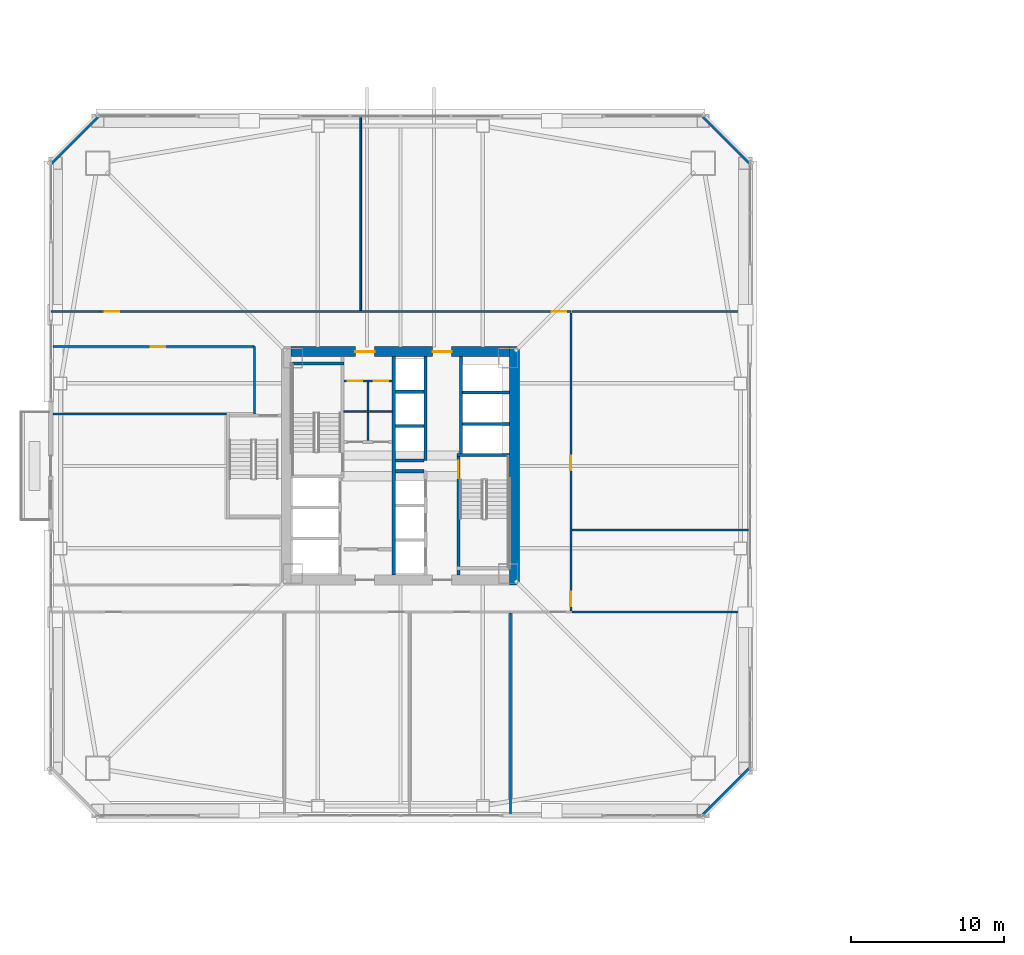
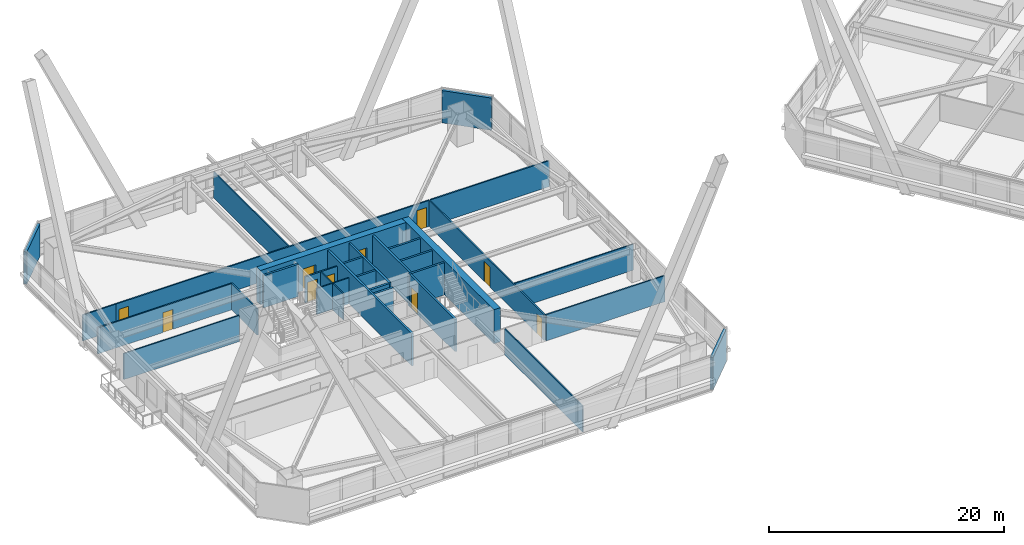
# One storey, part 63 of 75: 31 walls, 10 doors, 10 openings.
"""IFC4 building model written with IfcOpenShell, lengths in metres."""

import ifcopenshell
import ifcopenshell.guid

model = None  # the IFC model being written
_history = None  # IfcOwnerHistory: only IFC2X3 demands one
_inside = {}  # id of a spatial element -> (the spatial element, [elements in it])
_under = {}  # id of a project, library or spatial element -> (it, [spatial elements below it])
_declared = {}  # id of a project -> (the project, [libraries it declares])
_typed = {}  # id of a type object -> (the type object, [elements of that type])
_made_of = {}  # id of a material, layer set ... -> (it, [elements and type objects made of it])


def new_model(schema):
    """Start an empty IFC model of exactly this schema.

    Asked for "IFC4X3", IfcOpenShell would pick the latest addendum, in which some entities
    have other attributes; the version numbers below select the first issue.
    IFC2X3 requires an IfcOwnerHistory on every rooted entity: one is made here for all.
    """
    global model, _history
    if schema == "IFC4X3":
        model = ifcopenshell.file(schema_version=(4, 3, 0, 0))
    else:
        model = ifcopenshell.file(schema=schema)
    _inside.clear()
    _under.clear()
    _declared.clear()
    _typed.clear()
    _made_of.clear()
    _history = None
    if model.schema == "IFC2X3":
        org = make("IfcOrganization", Name="unknown")
        user = make(
            "IfcPersonAndOrganization",
            ThePerson=make("IfcPerson", FamilyName="unknown"),
            TheOrganization=org,
        )
        app = make(
            "IfcApplication",
            ApplicationDeveloper=org,
            Version="unknown",
            ApplicationFullName="unknown",
            ApplicationIdentifier="unknown",
        )
        _history = make(
            "IfcOwnerHistory",
            OwningUser=user,
            OwningApplication=app,
            ChangeAction="ADDED",
            CreationDate=0,
        )
    return model


def make(cls, **values):
    """One entity of the class cls with the attributes given. An attribute that is None is left unset."""
    return model.create_entity(
        cls, **{name: value for name, value in values.items() if value is not None}
    )


def rooted(cls, **values):
    """An entity with a GlobalId (a new one), such as an element, a storey or a relation."""
    return make(cls, GlobalId=ifcopenshell.guid.new(), OwnerHistory=_history, **values)


def si_unit(unit_type, name, prefix=None):
    """IfcSIUnit, for example si_unit("LENGTHUNIT", "METRE", prefix="MILLI")."""
    return make("IfcSIUnit", UnitType=unit_type, Prefix=prefix, Name=name)


def assignment(units):
    """IfcUnitAssignment: the units of a project."""
    return None if units is None else make("IfcUnitAssignment", Units=units)


def point(xyz):
    """IfcCartesianPoint."""
    return None if xyz is None else make("IfcCartesianPoint", Coordinates=xyz)


def direction(xyz):
    """IfcDirection."""
    return None if xyz is None else make("IfcDirection", DirectionRatios=xyz)


def frame(location, z_axis=None, x_axis=None):
    """IfcAxis2Placement3D, a coordinate frame: its origin and axes. An axis left out is left unset."""
    return make(
        "IfcAxis2Placement3D",
        Location=point(location),
        Axis=direction(z_axis),
        RefDirection=direction(x_axis),
    )


def frame_2d(location, x_axis=None):
    """IfcAxis2Placement2D, a coordinate frame in the plane: its origin and x axis."""
    return make(
        "IfcAxis2Placement2D", Location=point(location), RefDirection=direction(x_axis)
    )


def origin():
    """The frame at (0, 0, 0) with its axes left unset."""
    return frame((0.0, 0.0, 0.0))


def place(relative_to, where):
    """IfcLocalPlacement: puts the frame where relative to a parent placement (None: the world)."""
    return make(
        "IfcLocalPlacement", PlacementRelTo=relative_to, RelativePlacement=where
    )


def context(
    kind, dimensions, precision=None, world=None, true_north=None, identifier=None
):
    """IfcGeometricRepresentationContext, for example the 3D "Model" context."""
    return make(
        "IfcGeometricRepresentationContext",
        ContextIdentifier=identifier,
        ContextType=kind,
        CoordinateSpaceDimension=dimensions,
        Precision=precision,
        WorldCoordinateSystem=world,
        TrueNorth=true_north,
    )


def subcontext(parent, identifier, kind, view, scale=None):
    """IfcGeometricRepresentationSubContext, for example "Body" below "Model"."""
    return make(
        "IfcGeometricRepresentationSubContext",
        ContextIdentifier=identifier,
        ContextType=kind,
        ParentContext=parent,
        TargetScale=scale,
        TargetView=view,
    )


def project(units=None, contexts=None):
    """IfcProject with its units and contexts."""
    return rooted(
        "IfcProject",
        Name="project",
        RepresentationContexts=contexts,
        UnitsInContext=assignment(units),
    )


def spatial(cls, under=None, at=None, **own):
    """A site, building, storey or space (cls), placed at a placement, below another one or the project."""
    s = rooted(cls, ObjectPlacement=at, **own)
    if under is not None:
        _under.setdefault(under.id(), (under, []))[1].append(s)
    return s


def profile(cls, at=None, kind="AREA", **sizes):
    """A parametric profile (cls). Its sizes go by their IFC names, for example OverallWidth=200.0."""
    return make(cls, ProfileType=kind, Position=at, **sizes)


def rectangle(**sizes):
    """IfcRectangleProfileDef."""
    return profile("IfcRectangleProfileDef", **sizes)


def extrude(swept, where, along, depth):
    """IfcExtrudedAreaSolid: the profile swept, set in the frame where, extruded along a direction by depth."""
    return make(
        "IfcExtrudedAreaSolid",
        SweptArea=swept,
        Position=where,
        ExtrudedDirection=direction(along),
        Depth=depth,
    )


def shape(context_of_items, identifier, shape_type, items):
    """IfcShapeRepresentation: the items that make up one representation, for example the "Body"."""
    return make(
        "IfcShapeRepresentation",
        ContextOfItems=context_of_items,
        RepresentationIdentifier=identifier,
        RepresentationType=shape_type,
        Items=items,
    )


def material(Name=None, Category=None):
    """IfcMaterial."""
    return make("IfcMaterial", Name=Name, Category=Category)


def layer(
    of_material, thickness, ventilated=None, Name=None, Category=None, Priority=None
):
    """IfcMaterialLayer: one layer of a wall or slab, of a material (None: an air gap)."""
    return make(
        "IfcMaterialLayer",
        Material=of_material,
        LayerThickness=thickness,
        IsVentilated=ventilated,
        Name=Name,
        Category=Category,
        Priority=Priority,
    )


def layer_set(layers, Name=None):
    """IfcMaterialLayerSet."""
    return make("IfcMaterialLayerSet", MaterialLayers=layers, LayerSetName=Name)


def made_of(thing, what):
    """Note that an element or type object is made of a material, layer set ...; save() writes the relation."""
    if what is not None:
        _made_of.setdefault(what.id(), (what, []))[1].append(thing)
    return thing


def type_object(cls, material=None, **own):
    """A type object (cls), such as IfcWallType, which elements share."""
    return made_of(rooted(cls, **own), material)


def element(
    cls,
    number,
    at=None,
    inside=None,
    cuts=None,
    type_object=None,
    material=None,
    context=None,
    identifier="Body",
    shape_type=None,
    held_by="IfcProductDefinitionShape",
    body=None,
    shapes=None,
    **own,
):
    """One element of the class cls, such as IfcWall. Its Tag is "e" and its number.

    at: its placement. inside: the storey or other place that contains it. cuts: it is an
    opening in that element (IfcRelVoidsElement). A single representation is given by context,
    identifier, shape_type and body (its items); several are given by shapes. held_by: the class
    of the entity that holds the representations. save() writes the other relations.
    """
    e = rooted(cls, Tag="e%d" % number, ObjectPlacement=at, **own)
    if body is not None:
        shapes = [shape(context, identifier, shape_type, body)]
    if shapes is not None:
        e.Representation = make(held_by, Representations=shapes)
    if inside is not None:
        _inside.setdefault(inside.id(), (inside, []))[1].append(e)
    if cuts is not None:
        rooted(
            "IfcRelVoidsElement", RelatingBuildingElement=cuts, RelatedOpeningElement=e
        )
    if type_object is not None:
        _typed.setdefault(type_object.id(), (type_object, []))[1].append(e)
    return made_of(e, material)


def fill(opening, filler):
    """IfcRelFillsElement: the door or window that sits in an opening."""
    return rooted(
        "IfcRelFillsElement",
        RelatingOpeningElement=opening,
        RelatedBuildingElement=filler,
    )


def aggregate(whole, parts):
    """IfcRelAggregates: a whole, such as a stair, and the parts it consists of."""
    return rooted("IfcRelAggregates", RelatingObject=whole, RelatedObjects=parts)


def save(model, path):
    """Write the relations noted so far, then the file.

    IfcRelAggregates (storeys below a building ...), IfcRelContainedInSpatialStructure (elements
    in a storey), IfcRelDefinesByType, IfcRelAssociatesMaterial and IfcRelDeclares: one each for
    every whole, place, type object, material and project.
    """
    for whole, parts in _under.values():
        aggregate(whole, parts)
    for where, things in _inside.values():
        rooted(
            "IfcRelContainedInSpatialStructure",
            RelatedElements=things,
            RelatingStructure=where,
        )
    for kind, things in _typed.values():
        rooted("IfcRelDefinesByType", RelatedObjects=things, RelatingType=kind)
    for what, things in _made_of.values():
        rooted("IfcRelAssociatesMaterial", RelatedObjects=things, RelatingMaterial=what)
    for by, libraries in _declared.values():
        rooted("IfcRelDeclares", RelatingContext=by, RelatedDefinitions=libraries)
    model.write(path)


model = new_model("IFC4")

# Units and contexts
model_context = context("Model", 3, precision=1e-05, world=origin(), true_north=direction((0.0, 1.0)))
body_context = subcontext(model_context, "Body", "Model", "MODEL_VIEW")
ifc_project = project(units=[si_unit("LENGTHUNIT", "METRE"), si_unit("AREAUNIT", "SQUARE_METRE"), si_unit("VOLUMEUNIT", "CUBIC_METRE"), si_unit("PLANEANGLEUNIT", "RADIAN"), si_unit("MASSUNIT", "GRAM", prefix="KILO")], contexts=[model_context])

# Site, building, storey
site_placement = place(None, origin())
site = spatial("IfcSite", under=ifc_project, at=site_placement, CompositionType="ELEMENT")
building_placement = place(site_placement, origin())
building = spatial("IfcBuilding", under=site, at=building_placement, Name="Tashvorn Skyway Center", CompositionType="ELEMENT")
storey_placement = place(building_placement, frame((0.0, 0.0, 45.89990234375)))
storey = spatial("IfcBuildingStorey", under=building, at=storey_placement, Name="L11", CompositionType="ELEMENT", Elevation=45.89990234375)

# Wall
ifc_material_1 = material(Name="Concrete C60/75", Category="concrete")
ifc_layer_1 = layer(ifc_material_1, 0.64990234375)
ifc_layer_set_1 = layer_set([ifc_layer_1], Name="Concrete C60/75")
wall_type_1 = type_object("IfcWallType", Name="WALL-CORE-650", PredefinedType="SHEAR", material=ifc_layer_set_1)
wall_1_placement = place(storey_placement, frame((49.47509765625, 39.800048828125, 0.0), z_axis=(0.0, 0.0, 1.0), x_axis=(0.0, -1.0, 0.0)))
element("IfcWall", 1, at=wall_1_placement, inside=storey, type_object=wall_type_1, Name="Tower 1 L11 East Core Shear Wall", PredefinedType="SHEAR", context=body_context, shape_type="SweptSolid", body=[
    extrude(rectangle(XDim=15.60009765625, YDim=0.64990234375, at=frame_2d((7.800048828125, 0.0))), origin(), (0.0, 0.0, 1.0), 3.550048828125),
])

# Wall, openings, doors
wall_2_placement = place(storey_placement, frame((34.85009765625, 39.47509765625, 0.0), z_axis=(0.0, 0.0, 1.0), x_axis=(1.0, 0.0, 0.0)))
wall_2 = element("IfcWall", 2, at=wall_2_placement, inside=storey, type_object=wall_type_1, Name="Tower 1 L11 North Core Shear Wall", PredefinedType="SHEAR", context=body_context, shape_type="SweptSolid", body=[
    extrude(rectangle(XDim=14.2998046875, YDim=0.64990234375, at=frame_2d((7.14990234375, 0.0))), origin(), (0.0, 0.0, 1.0), 3.550048828125),
])
opening_1_placement = place(wall_2_placement, frame((4.199951171875, 0.0, 0.0)))
opening_1 = element("IfcOpeningElement", 3, at=opening_1_placement, cuts=wall_2, Name="Opening D-FFL-1250", PredefinedType="OPENING", context=body_context, shape_type="SweptSolid", body=[
    extrude(rectangle(XDim=1.25, YDim=2.25, at=frame_2d((0.625, 1.125))), frame((0.0, 0.3349609375, 0.0), z_axis=(0.0, -1.0, 0.0), x_axis=(1.0, 0.0, 0.0)), (0.0, 0.0, 1.0), 0.669921875),
])
opening_2_placement = place(wall_2_placement, frame((9.25, 0.0, 0.0)))
opening_2 = element("IfcOpeningElement", 4, at=opening_2_placement, cuts=wall_2, Name="Opening D-FFL-1250", PredefinedType="OPENING", context=body_context, shape_type="SweptSolid", body=[
    extrude(rectangle(XDim=1.25, YDim=2.25, at=frame_2d((0.625, 1.125))), frame((0.0, 0.3349609375, 0.0), z_axis=(0.0, -1.0, 0.0), x_axis=(1.0, 0.0, 0.0)), (0.0, 0.0, 1.0), 0.669921875),
])
ifc_material_2 = material(Name="Hollow galvanized steel fire door assembly", Category="steel")
door_type_1 = type_object("IfcDoorType", Name="DOOR-FFL-1250", OperationType="NOTDEFINED", PredefinedType="DOOR", material=ifc_material_2)
door_1_placement = place(opening_1_placement, origin())
door_1 = element("IfcDoor", 5, at=door_1_placement, inside=storey, type_object=door_type_1, Name="Tower 1 L11 Core North Service Lobby Door", OperationType="SINGLE_SWING_LEFT", OverallHeight=2.25, OverallWidth=1.25, PredefinedType="DOOR", context=body_context, shape_type="SweptSolid", body=[
    extrude(rectangle(XDim=1.25, YDim=2.25, at=frame_2d((0.625, 1.125))), frame((0.0, 0.02490234375, 0.0), z_axis=(0.0, -1.0, 0.0), x_axis=(1.0, 0.0, 0.0)), (0.0, 0.0, 1.0), 0.050048828125),
])
fill(opening_1, door_1)
door_2_placement = place(opening_2_placement, origin())
door_2 = element("IfcDoor", 6, at=door_2_placement, inside=storey, type_object=door_type_1, Name="Tower 1 L11 Core North Lift Lobby Door", OperationType="SINGLE_SWING_RIGHT", OverallHeight=2.25, OverallWidth=1.25, PredefinedType="DOOR", context=body_context, shape_type="SweptSolid", body=[
    extrude(rectangle(XDim=1.25, YDim=2.25, at=frame_2d((0.625, 1.125))), frame((0.0, 0.02490234375, 0.0), z_axis=(0.0, -1.0, 0.0), x_axis=(1.0, 0.0, 0.0)), (0.0, 0.0, 1.0), 0.050048828125),
])
fill(opening_2, door_2)

# Walls
ifc_material_3 = material(Name="Precast concrete C40/50", Category="concrete")
ifc_layer_2 = layer(ifc_material_3, 0.280029296875)
ifc_layer_set_2 = layer_set([ifc_layer_2], Name="Precast concrete C40/50")
wall_type_2 = type_object("IfcWallType", Name="WALL-EXT-280", PredefinedType="SOLIDWALL", material=ifc_layer_set_2)
for number, where, z_axis, x_axis, name in (
    (7, (19.10009765625, 51.800048828125, 0.0), (0.0, 0.0, 1.0), (0.707106781187, 0.707106781187, 0.0), "Tower 1 L11 NW Precast Chamfer Wall"),
    (8, (61.800048828125, 54.89990234375, 0.0), (0.0, 0.0, 1.0), (0.707106781187, -0.707106781187, 0.0), "Tower 1 L11 NE Precast Chamfer Wall"),
    (9, (64.89990234375, 12.199951171875, 0.0), (0.0, 0.0, 1.0), (-0.707106781187, -0.707106781187, 0.0), "Tower 1 L11 SE Precast Chamfer Wall"),
):
    element("IfcWall", number, at=place(storey_placement, frame(where, z_axis=z_axis, x_axis=x_axis)), inside=storey, type_object=wall_type_2, Name=name, PredefinedType="SOLIDWALL", context=body_context, shape_type="SweptSolid", body=[
        extrude(rectangle(XDim=4.3837890625, YDim=0.280029296875, at=frame_2d((2.19189453125, 0.0))), origin(), (0.0, 0.0, 1.0), 3.35009765625),
    ])
ifc_material_4 = material(Name="Gypsum board on cold-formed steel stud framing", Category="steel")
ifc_layer_3 = layer(ifc_material_4, 0.110107421875)
ifc_layer_set_3 = layer_set([ifc_layer_3], Name="Gypsum board on cold-formed steel stud framing")
wall_type_3 = type_object("IfcWallType", Name="WALL-PART-110", PredefinedType="PARTITIONING", material=ifc_layer_set_3)
wall_3_placement = place(storey_placement, frame((39.39990234375, 42.179931640625, 0.0), z_axis=(0.0, 0.0, 1.0), x_axis=(0.0, 1.0, 0.0)))
element("IfcWall", 10, at=wall_3_placement, inside=storey, type_object=wall_type_3, Name="Tower 1 L11 North Suite Partition 1", PredefinedType="PARTITIONING", context=body_context, shape_type="SweptSolid", body=[
    extrude(rectangle(XDim=12.699951171875, YDim=0.110107421875, at=frame_2d((6.35009765625, 0.0))), origin(), (0.0, 0.0, 1.0), 2.703125),
])
wall_4_placement = place(storey_placement, frame((49.199951171875, 9.1201171875, 0.0), z_axis=(0.0, 0.0, 1.0), x_axis=(0.0, 1.0, 0.0)))
element("IfcWall", 11, at=wall_4_placement, inside=storey, type_object=wall_type_3, Name="Tower 1 L11 South Suite Partition 3", PredefinedType="PARTITIONING", context=body_context, shape_type="SweptSolid", body=[
    extrude(rectangle(XDim=13.22998046875, YDim=0.110107421875, at=frame_2d((6.614990234375, 0.0))), origin(), (0.0, 0.0, 1.0), 2.703125),
])
wall_5_placement = place(storey_placement, frame((53.22998046875, 27.800048828125, 0.0), z_axis=(0.0, 0.0, 1.0), x_axis=(1.0, 0.0, 0.0)))
element("IfcWall", 12, at=wall_5_placement, inside=storey, type_object=wall_type_3, Name="Tower 1 L11 East Suite Partition 1", PredefinedType="PARTITIONING", context=body_context, shape_type="SweptSolid", body=[
    extrude(rectangle(XDim=11.64990234375, YDim=0.110107421875, at=frame_2d((5.824951171875, 0.0))), origin(), (0.0, 0.0, 1.0), 2.703125),
])
wall_6_placement = place(storey_placement, frame((30.60009765625, 35.39990234375, 0.0), z_axis=(0.0, 0.0, 1.0), x_axis=(-1.0, 0.0, 0.0)))
element("IfcWall", 13, at=wall_6_placement, inside=storey, type_object=wall_type_3, Name="Tower 1 L11 West Suite Partition 1", PredefinedType="PARTITIONING", context=body_context, shape_type="SweptSolid", body=[
    extrude(rectangle(XDim=11.330078125, YDim=0.110107421875, at=frame_2d((5.6650390625, 0.0))), origin(), (0.0, 0.0, 1.0), 2.703125),
])
ifc_layer_4 = layer(ifc_material_4, 0.135009765625)
ifc_layer_set_4 = layer_set([ifc_layer_4], Name="Gypsum board on cold-formed steel stud framing")
wall_type_4 = type_object("IfcWallType", Name="WALL-PART-135", PredefinedType="PARTITIONING", material=ifc_layer_set_4)
wall_7_placement = place(storey_placement, frame((32.449951171875, 35.39990234375, 0.0), z_axis=(0.0, 0.0, 1.0), x_axis=(0.0, 1.0, 0.0)))
element("IfcWall", 14, at=wall_7_placement, inside=storey, type_object=wall_type_4, Name="Tower 1 L11 Stair 3 Access Corridor Wall", PredefinedType="PARTITIONING", context=body_context, shape_type="SweptSolid", body=[
    extrude(rectangle(XDim=4.400146484375, YDim=0.135009765625, at=frame_2d((2.2001953125, 0.0))), origin(), (0.0, 0.0, 1.0), 2.703125),
])

# Wall, openings, doors
wall_8_placement = place(storey_placement, frame((22.35009765625, 42.10009765625, 0.0), z_axis=(0.0, 0.0, 1.0), x_axis=(1.0, 0.0, 0.0)))
wall_8 = element("IfcWall", 15, at=wall_8_placement, inside=storey, type_object=wall_type_4, Name="Tower 1 L11 North Suite Wall", PredefinedType="PARTITIONING", context=body_context, shape_type="SweptSolid", body=[
    extrude(rectangle(XDim=30.7998046875, YDim=0.135009765625, at=frame_2d((15.39990234375, 0.0))), origin(), (0.0, 0.0, 1.0), 2.703125),
])
opening_3_placement = place(wall_8_placement, frame((0.300048828125, 0.0, 0.0)))
opening_3 = element("IfcOpeningElement", 16, at=opening_3_placement, cuts=wall_8, Name="Opening D-INT-950", PredefinedType="OPENING", context=body_context, shape_type="SweptSolid", body=[
    extrude(rectangle(XDim=0.949951171875, YDim=2.050048828125, at=frame_2d((0.47509765625, 1.02490234375))), frame((0.0, 0.077392578125, 0.0), z_axis=(0.0, -1.0, 0.0), x_axis=(1.0, 0.0, 0.0)), (0.0, 0.0, 1.0), 0.155029296875),
])
opening_4_placement = place(wall_8_placement, frame((29.550048828125, 0.0, 0.0)))
opening_4 = element("IfcOpeningElement", 17, at=opening_4_placement, cuts=wall_8, Name="Opening D-INT-950", PredefinedType="OPENING", context=body_context, shape_type="SweptSolid", body=[
    extrude(rectangle(XDim=0.949951171875, YDim=2.050048828125, at=frame_2d((0.47509765625, 1.02490234375))), frame((0.0, 0.077392578125, 0.0), z_axis=(0.0, -1.0, 0.0), x_axis=(1.0, 0.0, 0.0)), (0.0, 0.0, 1.0), 0.155029296875),
])
ifc_material_5 = material(Name="Solid-core architectural oak veneer door")
door_type_2 = type_object("IfcDoorType", Name="DOOR-INT-950", OperationType="NOTDEFINED", PredefinedType="DOOR", material=ifc_material_5)
door_3_placement = place(opening_3_placement, origin())
door_3 = element("IfcDoor", 18, at=door_3_placement, inside=storey, type_object=door_type_2, Name="Tower 1 L11 Open Plan Office Door", OperationType="SINGLE_SWING_RIGHT", OverallHeight=2.050048828125, OverallWidth=0.949951171875, PredefinedType="DOOR", context=body_context, shape_type="SweptSolid", body=[
    extrude(rectangle(XDim=0.949951171875, YDim=2.050048828125, at=frame_2d((0.47509765625, 1.02490234375))), frame((0.0, 0.02490234375, 0.0), z_axis=(0.0, -1.0, 0.0), x_axis=(1.0, 0.0, 0.0)), (0.0, 0.0, 1.0), 0.050048828125),
])
fill(opening_3, door_3)
door_4_placement = place(opening_4_placement, origin())
door_4 = element("IfcDoor", 19, at=door_4_placement, inside=storey, type_object=door_type_2, Name="Tower 1 L11 Open Plan Office Door", OperationType="SINGLE_SWING_LEFT", OverallHeight=2.050048828125, OverallWidth=0.949951171875, PredefinedType="DOOR", context=body_context, shape_type="SweptSolid", body=[
    extrude(rectangle(XDim=0.949951171875, YDim=2.050048828125, at=frame_2d((0.47509765625, 1.02490234375))), frame((0.0, 0.02490234375, 0.0), z_axis=(0.0, -1.0, 0.0), x_axis=(1.0, 0.0, 0.0)), (0.0, 0.0, 1.0), 0.050048828125),
])
fill(opening_4, door_4)

# Wall
wall_9_placement = place(storey_placement, frame((19.1201171875, 42.10009765625, 0.0), z_axis=(0.0, 0.0, 1.0), x_axis=(1.0, 0.0, 0.0)))
element("IfcWall", 20, at=wall_9_placement, inside=storey, type_object=wall_type_4, Name="Tower 1 L11 North-West Suite South Wall", PredefinedType="PARTITIONING", context=body_context, shape_type="SweptSolid", body=[
    extrude(rectangle(XDim=3.22998046875, YDim=0.135009765625, at=frame_2d((1.614990234375, 0.0))), origin(), (0.0, 0.0, 1.0), 2.703125),
])

# Wall, openings, doors
wall_10_placement = place(storey_placement, frame((53.14990234375, 42.02001953125, 0.0), z_axis=(0.0, 0.0, 1.0), x_axis=(0.0, -1.0, 0.0)))
wall_10 = element("IfcWall", 21, at=wall_10_placement, inside=storey, type_object=wall_type_4, Name="Tower 1 L11 East Inner Suite Wall", PredefinedType="PARTITIONING", context=body_context, shape_type="SweptSolid", body=[
    extrude(rectangle(XDim=19.510009765625, YDim=0.135009765625, at=frame_2d((9.7548828125, 0.0))), origin(), (0.0, 0.0, 1.0), 2.703125),
])
opening_5_placement = place(wall_10_placement, frame((18.260009765625, 0.0, 0.0)))
opening_5 = element("IfcOpeningElement", 22, at=opening_5_placement, cuts=wall_10, Name="Opening D-INT-950", PredefinedType="OPENING", context=body_context, shape_type="SweptSolid", body=[
    extrude(rectangle(XDim=0.949951171875, YDim=2.050048828125, at=frame_2d((0.47509765625, 1.02490234375))), frame((0.0, 0.077392578125, 0.0), z_axis=(0.0, -1.0, 0.0), x_axis=(1.0, 0.0, 0.0)), (0.0, 0.0, 1.0), 0.155029296875),
])
opening_6_placement = place(wall_10_placement, frame((9.36474609375, 0.0, 0.0)))
opening_6 = element("IfcOpeningElement", 23, at=opening_6_placement, cuts=wall_10, Name="Opening D-INT-950", PredefinedType="OPENING", context=body_context, shape_type="SweptSolid", body=[
    extrude(rectangle(XDim=0.949951171875, YDim=2.050048828125, at=frame_2d((0.47509765625, 1.02490234375))), frame((0.0, 0.077392578125, 0.0), z_axis=(0.0, -1.0, 0.0), x_axis=(1.0, 0.0, 0.0)), (0.0, 0.0, 1.0), 0.155029296875),
])
door_5_placement = place(opening_5_placement, origin())
door_5 = element("IfcDoor", 24, at=door_5_placement, inside=storey, type_object=door_type_2, Name="Tower 1 L11 Executive Study Lounge Door", OperationType="SINGLE_SWING_RIGHT", OverallHeight=2.050048828125, OverallWidth=0.949951171875, PredefinedType="DOOR", context=body_context, shape_type="SweptSolid", body=[
    extrude(rectangle(XDim=0.949951171875, YDim=2.050048828125, at=frame_2d((0.47509765625, 1.02490234375))), frame((0.0, 0.02490234375, 0.0), z_axis=(0.0, -1.0, 0.0), x_axis=(1.0, 0.0, 0.0)), (0.0, 0.0, 1.0), 0.050048828125),
])
fill(opening_5, door_5)
door_6_placement = place(opening_6_placement, origin())
door_6 = element("IfcDoor", 25, at=door_6_placement, inside=storey, type_object=door_type_2, Name="Tower 1 L11 Public Restroom Door", OperationType="SINGLE_SWING_LEFT", OverallHeight=2.050048828125, OverallWidth=0.949951171875, PredefinedType="DOOR", context=body_context, shape_type="SweptSolid", body=[
    extrude(rectangle(XDim=0.949951171875, YDim=2.050048828125, at=frame_2d((0.47509765625, 1.02490234375))), frame((0.0, 0.02490234375, 0.0), z_axis=(0.0, -1.0, 0.0), x_axis=(1.0, 0.0, 0.0)), (0.0, 0.0, 1.0), 0.050048828125),
])
fill(opening_6, door_6)

# Walls
for number, where, z_axis, x_axis, name in (
    (26, (64.8798828125, 42.10009765625, 0.0), (0.0, 0.0, 1.0), (-1.0, 0.0, 0.0), "Tower 1 L11 East Suite North Wall"),
    (27, (53.22998046875, 22.429931640625, 0.0), (0.0, 0.0, 1.0), (1.0, 0.0, 0.0), "Tower 1 L11 East Suite South Wall"),
):
    element("IfcWall", number, at=place(storey_placement, frame(where, z_axis=z_axis, x_axis=x_axis)), inside=storey, type_object=wall_type_4, Name=name, PredefinedType="PARTITIONING", context=body_context, shape_type="SweptSolid", body=[
        extrude(rectangle(XDim=11.64990234375, YDim=0.135009765625, at=frame_2d((5.824951171875, 0.0))), origin(), (0.0, 0.0, 1.0), 2.703125),
    ])

# Wall, opening, door
wall_11_placement = place(storey_placement, frame((32.449951171875, 39.800048828125, 0.0), z_axis=(0.0, 0.0, 1.0), x_axis=(-1.0, 0.0, 0.0)))
wall_11 = element("IfcWall", 28, at=wall_11_placement, inside=storey, type_object=wall_type_4, Name="Tower 1 L11 West Suite North Wall", PredefinedType="PARTITIONING", context=body_context, shape_type="SweptSolid", body=[
    extrude(rectangle(XDim=13.179931640625, YDim=0.135009765625, at=frame_2d((6.58984375, 0.0))), origin(), (0.0, 0.0, 1.0), 2.703125),
])
opening_7_placement = place(wall_11_placement, frame((5.840087890625, 0.0, 0.0)))
opening_7 = element("IfcOpeningElement", 29, at=opening_7_placement, cuts=wall_11, Name="Opening D-INT-950", PredefinedType="OPENING", context=body_context, shape_type="SweptSolid", body=[
    extrude(rectangle(XDim=0.949951171875, YDim=2.050048828125, at=frame_2d((0.47509765625, 1.02490234375))), frame((0.0, 0.077392578125, 0.0), z_axis=(0.0, -1.0, 0.0), x_axis=(1.0, 0.0, 0.0)), (0.0, 0.0, 1.0), 0.155029296875),
])
door_7_placement = place(opening_7_placement, origin())
door_7 = element("IfcDoor", 30, at=door_7_placement, inside=storey, type_object=door_type_2, Name="Tower 1 L11 Staff Fitness Club Door", OperationType="SINGLE_SWING_RIGHT", OverallHeight=2.050048828125, OverallWidth=0.949951171875, PredefinedType="DOOR", context=body_context, shape_type="SweptSolid", body=[
    extrude(rectangle(XDim=0.949951171875, YDim=2.050048828125, at=frame_2d((0.47509765625, 1.02490234375))), frame((0.0, 0.02490234375, 0.0), z_axis=(0.0, -1.0, 0.0), x_axis=(1.0, 0.0, 0.0)), (0.0, 0.0, 1.0), 0.050048828125),
])
fill(opening_7, door_7)

# Walls
ifc_layer_5 = layer(ifc_material_4, 0.110107421875)
ifc_layer_set_5 = layer_set([ifc_layer_5], Name="Gypsum board on cold-formed steel stud framing")
wall_type_5 = type_object("IfcWallType", Name="WALL-RATED-110", PredefinedType="PARTITIONING", material=ifc_layer_set_5)
wall_12_placement = place(storey_placement, frame((39.8798828125, 33.679931640625, 0.0), z_axis=(0.0, 0.0, 1.0), x_axis=(0.0, 1.0, 0.0)))
element("IfcWall", 31, at=wall_12_placement, inside=storey, type_object=wall_type_5, Name="Tower 1 L11 Core Cross Vertical", PredefinedType="PARTITIONING", context=body_context, shape_type="SweptSolid", body=[
    extrude(rectangle(XDim=3.800048828125, YDim=0.110107421875, at=frame_2d((1.89990234375, 0.0))), origin(), (0.0, 0.0, 1.0), 2.703125),
])
wall_13_placement = place(storey_placement, frame((38.300048828125, 35.550048828125, 0.0), z_axis=(0.0, 0.0, 1.0), x_axis=(1.0, 0.0, 0.0)))
element("IfcWall", 32, at=wall_13_placement, inside=storey, type_object=wall_type_5, Name="Tower 1 L11 Core Cross Horizontal", PredefinedType="PARTITIONING", context=body_context, shape_type="SweptSolid", body=[
    extrude(rectangle(XDim=3.14990234375, YDim=0.110107421875, at=frame_2d((1.574951171875, 0.0))), origin(), (0.0, 0.0, 1.0), 2.703125),
])

# Wall, openings, doors
ifc_layer_6 = layer(ifc_material_4, 0.135009765625)
ifc_layer_set_6 = layer_set([ifc_layer_6], Name="Gypsum board on cold-formed steel stud framing")
wall_type_6 = type_object("IfcWallType", Name="WALL-RATED-135", PredefinedType="PARTITIONING", material=ifc_layer_set_6)
wall_14_placement = place(storey_placement, frame((38.300048828125, 37.550048828125, 0.0), z_axis=(0.0, 0.0, 1.0), x_axis=(1.0, 0.0, 0.0)))
wall_14 = element("IfcWall", 33, at=wall_14_placement, inside=storey, type_object=wall_type_6, Name="Tower 1 L11 Core Service Lobby Wall", PredefinedType="PARTITIONING", context=body_context, shape_type="SweptSolid", body=[
    extrude(rectangle(XDim=3.14990234375, YDim=0.135009765625, at=frame_2d((1.574951171875, 0.0))), origin(), (0.0, 0.0, 1.0), 2.703125),
])
opening_8_placement = place(wall_14_placement, frame((0.25, 0.0, 0.0)))
opening_8 = element("IfcOpeningElement", 34, at=opening_8_placement, cuts=wall_14, Name="Opening D-RT-950", PredefinedType="OPENING", context=body_context, shape_type="SweptSolid", body=[
    extrude(rectangle(XDim=0.949951171875, YDim=2.050048828125, at=frame_2d((0.47509765625, 1.02490234375))), frame((0.0, 0.077392578125, 0.0), z_axis=(0.0, -1.0, 0.0), x_axis=(1.0, 0.0, 0.0)), (0.0, 0.0, 1.0), 0.155029296875),
])
opening_9_placement = place(wall_14_placement, frame((1.949951171875, 0.0, 0.0)))
opening_9 = element("IfcOpeningElement", 35, at=opening_9_placement, cuts=wall_14, Name="Opening D-RT-950", PredefinedType="OPENING", context=body_context, shape_type="SweptSolid", body=[
    extrude(rectangle(XDim=0.949951171875, YDim=2.050048828125, at=frame_2d((0.47509765625, 1.02490234375))), frame((0.0, 0.077392578125, 0.0), z_axis=(0.0, -1.0, 0.0), x_axis=(1.0, 0.0, 0.0)), (0.0, 0.0, 1.0), 0.155029296875),
])
door_type_3 = type_object("IfcDoorType", Name="DOOR-RATED-950", OperationType="NOTDEFINED", PredefinedType="DOOR", material=ifc_material_2)
door_8_placement = place(opening_8_placement, origin())
door_8 = element("IfcDoor", 36, at=door_8_placement, inside=storey, type_object=door_type_3, Name="Tower 1 L11 Core Cleaner Store Door", OperationType="SINGLE_SWING_LEFT", OverallHeight=2.050048828125, OverallWidth=0.949951171875, PredefinedType="DOOR", context=body_context, shape_type="SweptSolid", body=[
    extrude(rectangle(XDim=0.949951171875, YDim=2.050048828125, at=frame_2d((0.47509765625, 1.02490234375))), frame((0.0, 0.02490234375, 0.0), z_axis=(0.0, -1.0, 0.0), x_axis=(1.0, 0.0, 0.0)), (0.0, 0.0, 1.0), 0.050048828125),
])
fill(opening_8, door_8)
door_9_placement = place(opening_9_placement, origin())
door_9 = element("IfcDoor", 37, at=door_9_placement, inside=storey, type_object=door_type_3, Name="Tower 1 L11 Core Accessible WC Door", OperationType="SINGLE_SWING_RIGHT", OverallHeight=2.050048828125, OverallWidth=0.949951171875, PredefinedType="DOOR", context=body_context, shape_type="SweptSolid", body=[
    extrude(rectangle(XDim=0.949951171875, YDim=2.050048828125, at=frame_2d((0.47509765625, 1.02490234375))), frame((0.0, 0.02490234375, 0.0), z_axis=(0.0, -1.0, 0.0), x_axis=(1.0, 0.0, 0.0)), (0.0, 0.0, 1.0), 0.050048828125),
])
fill(opening_9, door_9)

# Walls
ifc_material_6 = material(Name="Concrete C40/50", Category="concrete")
ifc_layer_7 = layer(ifc_material_6, 0.199951171875)
ifc_layer_set_7 = layer_set([ifc_layer_7], Name="Concrete C40/50")
wall_type_7 = type_object("IfcWallType", Name="WALL-SHAFT-200", PredefinedType="SOLIDWALL", material=ifc_layer_set_7)
for number, where, z_axis, x_axis, name in (
    (38, (46.050048828125, 34.75, 0.0), (0.0, 0.0, 1.0), (1.0, 0.0, 0.0), "Tower 1 L11 High-Rise Shaft Divider"),
    (39, (46.050048828125, 36.800048828125, 0.0), (0.0, 0.0, 1.0), (1.0, 0.0, 0.0), "Tower 1 L11 High-Rise Shaft Divider"),
):
    element("IfcWall", number, at=place(storey_placement, frame(where, z_axis=z_axis, x_axis=x_axis)), inside=storey, type_object=wall_type_7, Name=name, PredefinedType="SOLIDWALL", context=body_context, shape_type="SweptSolid", body=[
        extrude(rectangle(XDim=3.099853515625, YDim=0.199951171875, at=frame_2d((1.5498046875, 0.0))), origin(), (0.0, 0.0, 1.0), 3.35009765625),
    ])
wall_15_placement = place(storey_placement, frame((41.669921875, 31.64990234375, 0.0), z_axis=(0.0, 0.0, 1.0), x_axis=(1.0, 0.0, 0.0)))
element("IfcWall", 40, at=wall_15_placement, inside=storey, type_object=wall_type_7, Name="Tower 1 L11 Low-Rise Shaft Divider", PredefinedType="SOLIDWALL", context=body_context, shape_type="SweptSolid", body=[
    extrude(rectangle(XDim=1.880126953125, YDim=0.199951171875, at=frame_2d((0.93994140625, 0.0))), origin(), (0.0, 0.0, 1.0), 3.35009765625),
])
wall_16_placement = place(storey_placement, frame((43.64990234375, 32.35009765625, 0.0), z_axis=(0.0, 0.0, 1.0), x_axis=(0.0, 1.0, 0.0)))
element("IfcWall", 41, at=wall_16_placement, inside=storey, type_object=wall_type_7, Name="Tower 1 L11 Mid-Rise Core Wall", PredefinedType="SOLIDWALL", context=body_context, shape_type="SweptSolid", body=[
    extrude(rectangle(XDim=6.7998046875, YDim=0.199951171875, at=frame_2d((3.39990234375, 0.0))), origin(), (0.0, 0.0, 1.0), 3.35009765625),
])
for number, where, z_axis, x_axis, name in (
    (42, (41.669921875, 32.35009765625, 0.0), (0.0, 0.0, 1.0), (1.0, 0.0, 0.0), "Tower 1 L11 Mid-Rise Shaft Divider"),
    (43, (41.669921875, 34.60009765625, 0.0), (0.0, 0.0, 1.0), (1.0, 0.0, 0.0), "Tower 1 L11 Mid-Rise Shaft Divider"),
    (44, (41.669921875, 36.85009765625, 0.0), (0.0, 0.0, 1.0), (1.0, 0.0, 0.0), "Tower 1 L11 Mid-Rise Shaft Divider"),
):
    element("IfcWall", number, at=place(storey_placement, frame(where, z_axis=z_axis, x_axis=x_axis)), inside=storey, type_object=wall_type_7, Name=name, PredefinedType="SOLIDWALL", context=body_context, shape_type="SweptSolid", body=[
        extrude(rectangle(XDim=1.880126953125, YDim=0.199951171875, at=frame_2d((0.93994140625, 0.0))), origin(), (0.0, 0.0, 1.0), 3.35009765625),
    ])
ifc_layer_8 = layer(ifc_material_6, 0.199951171875)
ifc_layer_set_8 = layer_set([ifc_layer_8], Name="Concrete C40/50")
wall_type_8 = type_object("IfcWallType", Name="WALL-STSHF-200", PredefinedType="SHEAR", material=ifc_layer_set_8)
wall_17_placement = place(storey_placement, frame((34.85009765625, 38.699951171875, 0.0), z_axis=(0.0, 0.0, 1.0), x_axis=(1.0, 0.0, 0.0)))
element("IfcWall", 45, at=wall_17_placement, inside=storey, type_object=wall_type_8, Name="Tower 1 L11 Stair 1 North Wall", PredefinedType="SHEAR", context=body_context, shape_type="SweptSolid", body=[
    extrude(rectangle(XDim=3.449951171875, YDim=0.199951171875, at=frame_2d((1.72509765625, 0.0))), origin(), (0.0, 0.0, 1.0), 3.35009765625),
])

# Wall, opening, door
wall_18_placement = place(storey_placement, frame((45.800048828125, 32.800048828125, 0.0), z_axis=(0.0, 0.0, 1.0), x_axis=(0.0, -1.0, 0.0)))
wall_18 = element("IfcWall", 46, at=wall_18_placement, inside=storey, type_object=wall_type_8, Name="Tower 1 L11 Stair 2 Enclosure Wall", PredefinedType="SHEAR", context=body_context, shape_type="SweptSolid", body=[
    extrude(rectangle(XDim=7.949951171875, YDim=0.199951171875, at=frame_2d((3.97509765625, 0.0))), origin(), (0.0, 0.0, 1.0), 3.35009765625),
])
opening_10_placement = place(wall_18_placement, frame((0.449951171875, 0.0, 0.0)))
opening_10 = element("IfcOpeningElement", 47, at=opening_10_placement, cuts=wall_18, Name="Opening D-ST-1150", PredefinedType="OPENING", context=body_context, shape_type="SweptSolid", body=[
    extrude(rectangle(XDim=1.14990234375, YDim=2.199951171875, at=frame_2d((0.574951171875, 1.10009765625))), frame((0.0, 0.10986328125, 0.0), z_axis=(0.0, -1.0, 0.0), x_axis=(1.0, 0.0, 0.0)), (0.0, 0.0, 1.0), 0.219970703125),
])
door_type_4 = type_object("IfcDoorType", Name="DOOR-STAIR-1150", OperationType="NOTDEFINED", PredefinedType="DOOR", material=ifc_material_2)
door_10_placement = place(opening_10_placement, origin())
door_10 = element("IfcDoor", 48, at=door_10_placement, inside=storey, type_object=door_type_4, Name="Tower 1 L11 Exit Stair 2 Door", OperationType="SINGLE_SWING_RIGHT", OverallHeight=2.199951171875, OverallWidth=1.14990234375, PredefinedType="DOOR", context=body_context, shape_type="SweptSolid", body=[
    extrude(rectangle(XDim=1.14990234375, YDim=2.199951171875, at=frame_2d((0.574951171875, 1.10009765625))), frame((0.0, 0.02490234375, 0.0), z_axis=(0.0, -1.0, 0.0), x_axis=(1.0, 0.0, 0.0)), (0.0, 0.0, 1.0), 0.050048828125),
])
fill(opening_10, door_10)

# Walls
wall_19_placement = place(storey_placement, frame((45.699951171875, 32.699951171875, 0.0), z_axis=(0.0, 0.0, 1.0), x_axis=(1.0, 0.0, 0.0)))
element("IfcWall", 49, at=wall_19_placement, inside=storey, type_object=wall_type_8, Name="Tower 1 L11 Stair 2 North Wall", PredefinedType="SHEAR", context=body_context, shape_type="SweptSolid", body=[
    extrude(rectangle(XDim=3.449951171875, YDim=0.199951171875, at=frame_2d((1.72509765625, 0.0))), origin(), (0.0, 0.0, 1.0), 3.35009765625),
])
wall_20_placement = place(storey_placement, frame((41.56005859375, 24.85009765625, 0.0), z_axis=(0.0, 0.0, 1.0), x_axis=(0.0, 1.0, 0.0)))
element("IfcWall", 50, at=wall_20_placement, inside=storey, type_object=wall_type_8, Name="Tower 1 L11 Firefighting Lobby East Smoke Barrier", PredefinedType="SHEAR", context=body_context, shape_type="SweptSolid", body=[
    extrude(rectangle(XDim=14.2998046875, YDim=0.199951171875, at=frame_2d((7.14990234375, 0.0))), origin(), (0.0, 0.0, 1.0), 3.35009765625),
])
wall_21_placement = place(storey_placement, frame((45.949951171875, 39.14990234375, 0.0), z_axis=(0.0, 0.0, 1.0), x_axis=(0.0, -1.0, 0.0)))
element("IfcWall", 51, at=wall_21_placement, inside=storey, type_object=wall_type_8, Name="Tower 1 L11 High-Rise Lift Shaft Front Wall", PredefinedType="SHEAR", context=body_context, shape_type="SweptSolid", body=[
    extrude(rectangle(XDim=6.349853515625, YDim=0.199951171875, at=frame_2d((3.1748046875, 0.0))), origin(), (0.0, 0.0, 1.0), 3.35009765625),
])

save(model, "model.ifc")
